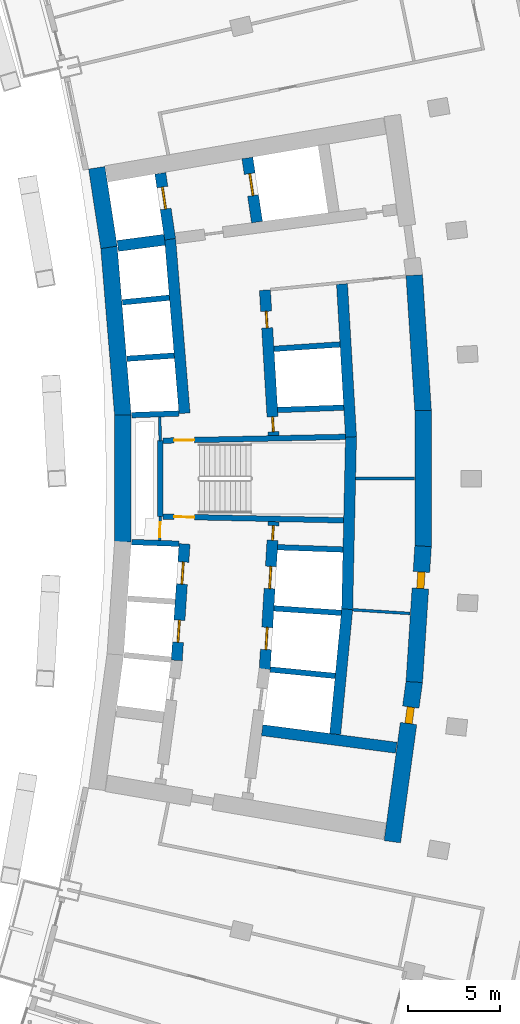
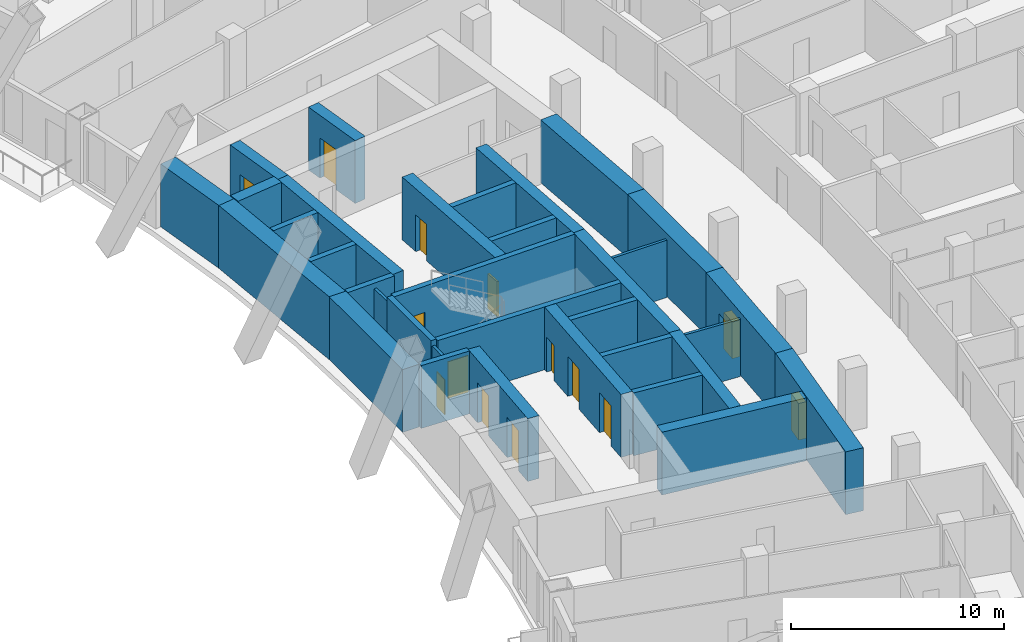
# One storey, part 16 of 25: 34 walls, 14 doors, 14 openings.
"""IFC4 building model written with IfcOpenShell, lengths in metres."""

from ifc_helpers import new_model, si_unit, direction, frame, frame_2d, origin, place, context, subcontext, project, spatial, rectangle, extrude, material, layer, layer_set, type_object, element, fill, save


model = new_model("IFC4")

# Units and contexts
model_context = context("Model", 3, precision=1e-05, world=origin(), true_north=direction((0.0, 1.0)))
body_context = subcontext(model_context, "Body", "Model", "MODEL_VIEW")
ifc_project = project(units=[si_unit("LENGTHUNIT", "METRE"), si_unit("AREAUNIT", "SQUARE_METRE"), si_unit("VOLUMEUNIT", "CUBIC_METRE"), si_unit("PLANEANGLEUNIT", "RADIAN"), si_unit("MASSUNIT", "GRAM", prefix="KILO")], contexts=[model_context])

# Site, building, storey
site_placement = place(None, origin())
site = spatial("IfcSite", under=ifc_project, at=site_placement, CompositionType="ELEMENT")
building_placement = place(site_placement, origin())
building = spatial("IfcBuilding", under=site, at=building_placement, Name="Alderwake Tower", CompositionType="ELEMENT")
storey_placement = place(building_placement, frame((0.0, 0.0, 64.39990234375)))
storey = spatial("IfcBuildingStorey", under=building, at=storey_placement, Name="L15", CompositionType="ELEMENT", Elevation=64.39990234375)

# Wall, opening, door
ifc_material_1 = material(Name="Gypsum shaft wall system, rated")
ifc_layer_1 = layer(ifc_material_1, 0.14990234375)
ifc_layer_set_1 = layer_set([ifc_layer_1], Name="Core room partition 150")
wall_type_1 = type_object("IfcWallType", Name="Core room partition 150", PredefinedType="PARTITIONING", material=ifc_layer_set_1)
wall_1_placement = place(storey_placement, frame((18.918701171875, 58.94384765625, 0.0), z_axis=(0.0, 0.0, 1.0), x_axis=(-0.027348257573, -0.999625966453, 0.0)))
wall_1 = element("IfcWall", 1, at=wall_1_placement, inside=storey, type_object=wall_type_1, Name="CW/L15/PA+24_-37", PredefinedType="PARTITIONING", context=body_context, shape_type="SweptSolid", body=[
    extrude(rectangle(XDim=1.29443359375, YDim=0.14990234375, at=frame_2d((0.647216796875, 0.0))), origin(), (0.0, 0.0, 1.0), 3.280029296875),
])
opening_1_placement = place(wall_1_placement, frame((0.322998046875, 0.0, 0.0)))
opening_1 = element("IfcOpeningElement", 2, at=opening_1_placement, cuts=wall_1, Name="Opening C004", PredefinedType="OPENING", context=body_context, shape_type="SweptSolid", body=[
    extrude(rectangle(XDim=0.800048828125, YDim=2.0, at=frame_2d((0.39990234375, 1.0))), frame((0.0, 0.0849609375, 0.0), z_axis=(0.0, -1.0, 0.0), x_axis=(1.0, 0.0, 0.0)), (0.0, 0.0, 1.0), 0.169921875),
])
ifc_material_2 = material(Name="Painted steel leaf, rated", Category="steel")
door_type_1 = type_object("IfcDoorType", Name="Riser access door 800", OperationType="SINGLE_SWING_LEFT", PredefinedType="DOOR", material=ifc_material_2)
door_1_placement = place(opening_1_placement, origin())
door_1 = element("IfcDoor", 3, at=door_1_placement, inside=storey, type_object=door_type_1, Name="Riser access door", OperationType="SINGLE_SWING_RIGHT", OverallHeight=2.0, OverallWidth=0.800048828125, PredefinedType="DOOR", context=body_context, shape_type="SweptSolid", body=[
    extrude(rectangle(XDim=0.800048828125, YDim=2.0, at=frame_2d((0.39990234375, 1.0))), frame((0.0, 0.02490234375, 0.0), z_axis=(0.0, -1.0, 0.0), x_axis=(1.0, 0.0, 0.0)), (0.0, 0.0, 1.0), 0.050048828125),
])
fill(opening_1, door_1)

# Walls
wall_2_placement = place(storey_placement, frame((18.918701171875, 63.05517578125, 0.0), z_axis=(0.0, 0.0, 1.0), x_axis=(-0.027327648352, 0.999626530078, 0.0)))
element("IfcWall", 4, at=wall_2_placement, inside=storey, type_object=wall_type_1, Name="CW/L15/PA+24_+22", PredefinedType="PARTITIONING", context=body_context, shape_type="SweptSolid", body=[
    extrude(rectangle(XDim=1.29541015625, YDim=0.14990234375, at=frame_2d((0.647705078125, 0.0))), origin(), (0.0, 0.0, 1.0), 3.280029296875),
])
wall_3_placement = place(storey_placement, frame((29.368408203125, 53.8779296875, 0.0), z_axis=(0.0, 0.0, 1.0), x_axis=(0.997885422127, -0.064997571548, 0.0)))
element("IfcWall", 5, at=wall_3_placement, inside=storey, type_object=wall_type_1, Name="CW/L15/PR-68_+128", PredefinedType="PARTITIONING", context=body_context, shape_type="SweptSolid", body=[
    extrude(rectangle(XDim=3.110107421875, YDim=0.14990234375, at=frame_2d((1.55517578125, 0.0))), origin(), (0.0, 0.0, 1.0), 3.280029296875),
])
wall_4_placement = place(storey_placement, frame((29.526123046875, 61.0, 0.0), z_axis=(0.0, 0.0, 1.0), x_axis=(1.0, 0.0, 0.0)))
element("IfcWall", 6, at=wall_4_placement, inside=storey, type_object=wall_type_1, Name="CW/L15/PR+0_+128", PredefinedType="PARTITIONING", context=body_context, shape_type="SweptSolid", body=[
    extrude(rectangle(XDim=3.18408203125, YDim=0.14990234375, at=frame_2d((1.592041015625, 0.0))), origin(), (0.0, 0.0, 1.0), 3.280029296875),
])
ifc_material_3 = material(Name="Concrete C70/85", Category="concrete")
ifc_layer_2 = layer(ifc_material_3, 0.89990234375)
ifc_layer_set_2 = layer_set([ifc_layer_2], Name="Core wall outer 900 C70-85")
wall_type_2 = type_object("IfcWallType", Name="Core wall outer 900 C70-85", PredefinedType="SHEAR", material=ifc_layer_set_2)
wall_5_placement = place(storey_placement, frame((16.889404296875, 57.5546875, 0.0), z_axis=(0.0, 0.0, 1.0), x_axis=(0.0, 1.0, 0.0)))
element("IfcWall", 7, at=wall_5_placement, inside=storey, type_object=wall_type_2, Name="Core wall CW.043", PredefinedType="SHEAR", context=body_context, shape_type="SweptSolid", body=[
    extrude(rectangle(XDim=6.89404296875, YDim=0.89990234375, at=frame_2d((3.447021484375, 0.0))), origin(), (0.0, 0.0, 1.0), 3.60009765625),
])
wall_6_placement = place(storey_placement, frame((16.890869140625, 64.41064453125, 0.0), z_axis=(0.0, 0.0, 1.0), x_axis=(-0.082624275373, 0.996580768989, 0.0)))
element("IfcWall", 8, at=wall_6_placement, inside=storey, type_object=wall_type_2, Name="Core wall CW.040", PredefinedType="SHEAR", context=body_context, shape_type="SweptSolid", body=[
    extrude(rectangle(XDim=9.210205078125, YDim=0.89990234375, at=frame_2d((4.60498046875, 0.0))), origin(), (0.0, 0.0, 1.0), 3.60009765625),
])
wall_7_placement = place(storey_placement, frame((16.1337890625, 73.557373046875, 0.0), z_axis=(0.0, 0.0, 1.0), x_axis=(-0.151956504286, 0.988387181627, 0.0)))
element("IfcWall", 9, at=wall_7_placement, inside=storey, type_object=wall_type_2, Name="Core wall CW.039", PredefinedType="SHEAR", context=body_context, shape_type="SweptSolid", body=[
    extrude(rectangle(XDim=4.373291015625, YDim=0.89990234375, at=frame_2d((2.1865234375, 0.0))), origin(), (0.0, 0.0, 1.0), 3.60009765625),
])

# Wall, opening, door
wall_8_placement = place(storey_placement, frame((32.7138671875, 49.9873046875, 0.0), z_axis=(0.0, 0.0, 1.0), x_axis=(-0.135844728876, -0.990730139663, 0.0)))
wall_8 = element("IfcWall", 10, at=wall_8_placement, inside=storey, type_object=wall_type_2, Name="Core wall CW.012", PredefinedType="SHEAR", context=body_context, shape_type="SweptSolid", body=[
    extrude(rectangle(XDim=8.78662109375, YDim=0.89990234375, at=frame_2d((4.393310546875, 0.0))), origin(), (0.0, 0.0, 1.0), 3.60009765625),
])
opening_2_placement = place(wall_8_placement, frame((1.40673828125, 0.0, 0.0)))
opening_2 = element("IfcOpeningElement", 11, at=opening_2_placement, cuts=wall_8, Name="Opening C049", PredefinedType="OPENING", context=body_context, shape_type="SweptSolid", body=[
    extrude(rectangle(XDim=0.89990234375, YDim=2.10009765625, at=frame_2d((0.449951171875, 1.050048828125))), frame((0.0, 0.4599609375, 0.0), z_axis=(0.0, -1.0, 0.0), x_axis=(1.0, 0.0, 0.0)), (0.0, 0.0, 1.0), 0.919921875),
])
ifc_material_4 = material(Name="Painted steel leaf", Category="steel")
door_type_2 = type_object("IfcDoorType", Name="Core room door 900", OperationType="SINGLE_SWING_LEFT", PredefinedType="DOOR", material=ifc_material_4)
door_2_placement = place(opening_2_placement, origin())
door_2 = element("IfcDoor", 12, at=door_2_placement, inside=storey, type_object=door_type_2, Name="Room door", OperationType="SINGLE_SWING_LEFT", OverallHeight=2.10009765625, OverallWidth=0.89990234375, PredefinedType="DOOR", context=body_context, shape_type="SweptSolid", body=[
    extrude(rectangle(XDim=0.89990234375, YDim=2.10009765625, at=frame_2d((0.449951171875, 1.050048828125))), frame((0.0, 0.199951171875, 0.0), z_axis=(0.0, -1.0, 0.0), x_axis=(1.0, 0.0, 0.0)), (0.0, 0.0, 1.0), 0.39990234375),
])
fill(opening_2, door_2)

wall_9_placement = place(storey_placement, frame((33.191162109375, 57.33349609375, 0.0), z_axis=(0.0, 0.0, 1.0), x_axis=(-0.064976219143, -0.997886812693, 0.0)))
wall_9 = element("IfcWall", 13, at=wall_9_placement, inside=storey, type_object=wall_type_2, Name="Core wall CW.011", PredefinedType="SHEAR", context=body_context, shape_type="SweptSolid", body=[
    extrude(rectangle(XDim=7.39453125, YDim=0.89990234375, at=frame_2d((3.697265625, 0.0))), origin(), (0.0, 0.0, 1.0), 3.60009765625),
])
opening_3_placement = place(wall_9_placement, frame((1.405517578125, 0.0, 0.0)))
opening_3 = element("IfcOpeningElement", 14, at=opening_3_placement, cuts=wall_9, Name="Opening C028", PredefinedType="OPENING", context=body_context, shape_type="SweptSolid", body=[
    extrude(rectangle(XDim=0.89990234375, YDim=2.10009765625, at=frame_2d((0.449951171875, 1.050048828125))), frame((0.0, 0.4599609375, 0.0), z_axis=(0.0, -1.0, 0.0), x_axis=(1.0, 0.0, 0.0)), (0.0, 0.0, 1.0), 0.919921875),
])
door_3_placement = place(opening_3_placement, origin())
door_3 = element("IfcDoor", 15, at=door_3_placement, inside=storey, type_object=door_type_2, Name="Room door", OperationType="SINGLE_SWING_LEFT", OverallHeight=2.10009765625, OverallWidth=0.89990234375, PredefinedType="DOOR", context=body_context, shape_type="SweptSolid", body=[
    extrude(rectangle(XDim=0.89990234375, YDim=2.10009765625, at=frame_2d((0.449951171875, 1.050048828125))), frame((0.0, 0.199951171875, 0.0), z_axis=(0.0, -1.0, 0.0), x_axis=(1.0, 0.0, 0.0)), (0.0, 0.0, 1.0), 0.39990234375),
])
fill(opening_3, door_3)

# Walls
wall_10_placement = place(storey_placement, frame((33.190185546875, 57.30322265625, 0.0), z_axis=(0.0, 0.0, 1.0), x_axis=(0.0, 1.0, 0.0)))
element("IfcWall", 16, at=wall_10_placement, inside=storey, type_object=wall_type_2, Name="Core wall CW.013", PredefinedType="SHEAR", context=body_context, shape_type="SweptSolid", body=[
    extrude(rectangle(XDim=7.3935546875, YDim=0.89990234375, at=frame_2d((3.69677734375, 0.0))), origin(), (0.0, 0.0, 1.0), 3.60009765625),
])
wall_11_placement = place(storey_placement, frame((33.191162109375, 64.66650390625, 0.0), z_axis=(0.0, 0.0, 1.0), x_axis=(-0.064976219143, 0.997886812693, 0.0)))
element("IfcWall", 17, at=wall_11_placement, inside=storey, type_object=wall_type_2, Name="Core wall CW.010", PredefinedType="SHEAR", context=body_context, shape_type="SweptSolid", body=[
    extrude(rectangle(XDim=7.39453125, YDim=0.89990234375, at=frame_2d((3.697265625, 0.0))), origin(), (0.0, 0.0, 1.0), 3.60009765625),
])
ifc_material_5 = material(Name="Concrete C70/85", Category="concrete")
ifc_layer_3 = layer(ifc_material_5, 0.300048828125)
ifc_layer_set_3 = layer_set([ifc_layer_3], Name="Core wall shaft 300 C70-85")
wall_type_3 = type_object("IfcWallType", Name="Core wall shaft 300 C70-85", PredefinedType="SHEAR", material=ifc_layer_set_3)
wall_12_placement = place(storey_placement, frame((24.889404296875, 50.635009765625, 0.0), z_axis=(0.0, 0.0, 1.0), x_axis=(0.995157756799, -0.098290584916, 0.0)))
element("IfcWall", 18, at=wall_12_placement, inside=storey, type_object=wall_type_3, Name="Core wall CW.066", PredefinedType="SHEAR", context=body_context, shape_type="SweptSolid", body=[
    extrude(rectangle(XDim=3.546875, YDim=0.300048828125, at=frame_2d((1.7734375, 0.0))), origin(), (0.0, 0.0, 1.0), 3.60009765625),
])
wall_13_placement = place(storey_placement, frame((25.090087890625, 53.954833984375, 0.0), z_axis=(0.0, 0.0, 1.0), x_axis=(0.997759755038, -0.066898962827, 0.0)))
element("IfcWall", 19, at=wall_13_placement, inside=storey, type_object=wall_type_3, Name="Core wall CW.080", PredefinedType="SHEAR", context=body_context, shape_type="SweptSolid", body=[
    extrude(rectangle(XDim=3.667724609375, YDim=0.300048828125, at=frame_2d((1.833984375, 0.0))), origin(), (0.0, 0.0, 1.0), 3.60009765625),
])
wall_14_placement = place(storey_placement, frame((17.369140625, 57.553466796875, 0.0), z_axis=(0.0, 0.0, 1.0), x_axis=(0.99937189907, -0.035437372217, 0.0)))
element("IfcWall", 20, at=wall_14_placement, inside=storey, type_object=wall_type_3, Name="Core wall CW.076", PredefinedType="SHEAR", context=body_context, shape_type="SweptSolid", body=[
    extrude(rectangle(XDim=2.56982421875, YDim=0.300048828125, at=frame_2d((1.284912109375, 0.0))), origin(), (0.0, 0.0, 1.0), 3.60009765625),
])
wall_15_placement = place(storey_placement, frame((25.29052734375, 57.27294921875, 0.0), z_axis=(0.0, 0.0, 1.0), x_axis=(0.999373490158, -0.035392473348, 0.0)))
element("IfcWall", 21, at=wall_15_placement, inside=storey, type_object=wall_type_3, Name="Core wall CW.077", PredefinedType="SHEAR", context=body_context, shape_type="SweptSolid", body=[
    extrude(rectangle(XDim=3.552490234375, YDim=0.300048828125, at=frame_2d((1.7763671875, 0.0))), origin(), (0.0, 0.0, 1.0), 3.60009765625),
])
wall_16_placement = place(storey_placement, frame((17.369384765625, 64.446533203125, 0.0), z_axis=(0.0, 0.0, 1.0), x_axis=(0.999371660382, 0.035444102817, 0.0)))
element("IfcWall", 22, at=wall_16_placement, inside=storey, type_object=wall_type_3, Name="Core wall CW.059", PredefinedType="SHEAR", context=body_context, shape_type="SweptSolid", body=[
    extrude(rectangle(XDim=2.5693359375, YDim=0.300048828125, at=frame_2d((1.28466796875, 0.0))), origin(), (0.0, 0.0, 1.0), 3.60009765625),
])
wall_17_placement = place(storey_placement, frame((25.291259765625, 64.72705078125, 0.0), z_axis=(0.0, 0.0, 1.0), x_axis=(0.999373454301, 0.035393485806, 0.0)))
element("IfcWall", 23, at=wall_17_placement, inside=storey, type_object=wall_type_3, Name="Core wall CW.060", PredefinedType="SHEAR", context=body_context, shape_type="SweptSolid", body=[
    extrude(rectangle(XDim=3.59375, YDim=0.300048828125, at=frame_2d((1.796875, 0.0))), origin(), (0.0, 0.0, 1.0), 3.60009765625),
])
wall_18_placement = place(storey_placement, frame((17.115478515625, 67.510498046875, 0.0), z_axis=(0.0, 0.0, 1.0), x_axis=(0.99775517309, 0.06696726493, 0.0)))
element("IfcWall", 24, at=wall_18_placement, inside=storey, type_object=wall_type_3, Name="Core wall CW.062", PredefinedType="SHEAR", context=body_context, shape_type="SweptSolid", body=[
    extrude(rectangle(XDim=2.566650390625, YDim=0.300048828125, at=frame_2d((1.283203125, 0.0))), origin(), (0.0, 0.0, 1.0), 3.60009765625),
])
wall_19_placement = place(storey_placement, frame((25.09228515625, 68.04541015625, 0.0), z_axis=(0.0, 0.0, 1.0), x_axis=(0.997761968855, 0.066865936816, 0.0)))
element("IfcWall", 25, at=wall_19_placement, inside=storey, type_object=wall_type_3, Name="Core wall CW.063", PredefinedType="SHEAR", context=body_context, shape_type="SweptSolid", body=[
    extrude(rectangle(XDim=3.596435546875, YDim=0.300048828125, at=frame_2d((1.79833984375, 0.0))), origin(), (0.0, 0.0, 1.0), 3.60009765625),
])
wall_20_placement = place(storey_placement, frame((16.86181640625, 70.571533203125, 0.0), z_axis=(0.0, 0.0, 1.0), x_axis=(0.995151424955, 0.098354671516, 0.0)))
element("IfcWall", 26, at=wall_20_placement, inside=storey, type_object=wall_type_3, Name="Core wall CW.050", PredefinedType="SHEAR", context=body_context, shape_type="SweptSolid", body=[
    extrude(rectangle(XDim=2.566650390625, YDim=0.300048828125, at=frame_2d((1.283203125, 0.0))), origin(), (0.0, 0.0, 1.0), 3.60009765625),
])

# Wall, openings, doors
ifc_material_6 = material(Name="Concrete C70/85", Category="concrete")
ifc_layer_4 = layer(ifc_material_6, 0.60009765625)
ifc_layer_set_4 = layer_set([ifc_layer_4], Name="Core wall spine 600 C70-85")
wall_type_4 = type_object("IfcWallType", Name="Core wall spine 600 C70-85", PredefinedType="SHEAR", material=ifc_layer_set_4)
wall_21_placement = place(storey_placement, frame((19.813232421875, 51.12646484375, 0.0), z_axis=(0.0, 0.0, 1.0), x_axis=(0.066892179723, 0.997760209816, 0.0)))
wall_21 = element("IfcWall", 27, at=wall_21_placement, inside=storey, type_object=wall_type_4, Name="Core wall CW.032", PredefinedType="SHEAR", context=body_context, shape_type="SweptSolid", body=[
    extrude(rectangle(XDim=6.339599609375, YDim=0.60009765625, at=frame_2d((3.169921875, 0.0))), origin(), (0.0, 0.0, 1.0), 3.60009765625),
])
opening_4_placement = place(wall_21_placement, frame((0.992431640625, 0.0, 0.0)))
opening_4 = element("IfcOpeningElement", 28, at=opening_4_placement, cuts=wall_21, Name="Opening LD-LP2", PredefinedType="OPENING", context=body_context, shape_type="SweptSolid", body=[
    extrude(rectangle(XDim=1.199951171875, YDim=2.300048828125, at=frame_2d((0.60009765625, 1.14990234375))), frame((0.0, 0.31005859375, 0.0), z_axis=(0.0, -1.0, 0.0), x_axis=(1.0, 0.0, 0.0)), (0.0, 0.0, 1.0), 0.6201171875),
])
opening_5_placement = place(wall_21_placement, frame((4.157470703125, 0.0, 0.0)))
opening_5 = element("IfcOpeningElement", 29, at=opening_5_placement, cuts=wall_21, Name="Opening LD-LP3", PredefinedType="OPENING", context=body_context, shape_type="SweptSolid", body=[
    extrude(rectangle(XDim=1.199951171875, YDim=2.300048828125, at=frame_2d((0.60009765625, 1.14990234375))), frame((0.0, 0.31005859375, 0.0), z_axis=(0.0, -1.0, 0.0), x_axis=(1.0, 0.0, 0.0)), (0.0, 0.0, 1.0), 0.6201171875),
])
ifc_material_7 = material(Name="Stainless steel sliding leaf", Category="steel")
door_type_3 = type_object("IfcDoorType", Name="Lift landing door 1200", OperationType="SLIDING_TO_LEFT", PredefinedType="DOOR", material=ifc_material_7)
door_4_placement = place(opening_4_placement, origin())
door_4 = element("IfcDoor", 30, at=door_4_placement, inside=storey, type_object=door_type_3, Name="Lift landing door LP2", OperationType="SLIDING_TO_LEFT", OverallHeight=2.300048828125, OverallWidth=1.199951171875, PredefinedType="DOOR", context=body_context, shape_type="SweptSolid", body=[
    extrude(rectangle(XDim=1.199951171875, YDim=2.300048828125, at=frame_2d((0.60009765625, 1.14990234375))), frame((0.0, 0.050048828125, 0.0), z_axis=(0.0, -1.0, 0.0), x_axis=(1.0, 0.0, 0.0)), (0.0, 0.0, 1.0), 0.10009765625),
])
fill(opening_4, door_4)
door_5_placement = place(opening_5_placement, origin())
door_5 = element("IfcDoor", 31, at=door_5_placement, inside=storey, type_object=door_type_3, Name="Lift landing door LP3", OperationType="SLIDING_TO_LEFT", OverallHeight=2.300048828125, OverallWidth=1.199951171875, PredefinedType="DOOR", context=body_context, shape_type="SweptSolid", body=[
    extrude(rectangle(XDim=1.199951171875, YDim=2.300048828125, at=frame_2d((0.60009765625, 1.14990234375))), frame((0.0, 0.050048828125, 0.0), z_axis=(0.0, -1.0, 0.0), x_axis=(1.0, 0.0, 0.0)), (0.0, 0.0, 1.0), 0.10009765625),
])
fill(opening_5, door_5)

# Wall
wall_22_placement = place(storey_placement, frame((20.2373046875, 64.548095703125, 0.0), z_axis=(0.0, 0.0, 1.0), x_axis=(-0.082626598613, 0.996580576372, 0.0)))
element("IfcWall", 32, at=wall_22_placement, inside=storey, type_object=wall_type_4, Name="Core wall CW.031", PredefinedType="SHEAR", context=body_context, shape_type="SweptSolid", body=[
    extrude(rectangle(XDim=9.50244140625, YDim=0.60009765625, at=frame_2d((4.751220703125, 0.0))), origin(), (0.0, 0.0, 1.0), 3.60009765625),
])

# Wall, opening, door
wall_23_placement = place(storey_placement, frame((19.45458984375, 73.99755859375, 0.0), z_axis=(0.0, 0.0, 1.0), x_axis=(-0.147502312715, 0.989061710786, 0.0)))
wall_23 = element("IfcWall", 33, at=wall_23_placement, inside=storey, type_object=wall_type_4, Name="Core wall CW.030", PredefinedType="SHEAR", context=body_context, shape_type="SweptSolid", body=[
    extrude(rectangle(XDim=3.6181640625, YDim=0.60009765625, at=frame_2d((1.80908203125, 0.0))), origin(), (0.0, 0.0, 1.0), 3.60009765625),
])
opening_6_placement = place(wall_23_placement, frame((1.664306640625, 0.0, 0.0)))
opening_6 = element("IfcOpeningElement", 34, at=opening_6_placement, cuts=wall_23, Name="Opening LD-FF1", PredefinedType="OPENING", context=body_context, shape_type="SweptSolid", body=[
    extrude(rectangle(XDim=1.199951171875, YDim=2.300048828125, at=frame_2d((0.60009765625, 1.14990234375))), frame((0.0, 0.31005859375, 0.0), z_axis=(0.0, -1.0, 0.0), x_axis=(1.0, 0.0, 0.0)), (0.0, 0.0, 1.0), 0.6201171875),
])
door_6_placement = place(opening_6_placement, origin())
door_6 = element("IfcDoor", 35, at=door_6_placement, inside=storey, type_object=door_type_3, Name="Lift landing door FF1", OperationType="SLIDING_TO_LEFT", OverallHeight=2.300048828125, OverallWidth=1.199951171875, PredefinedType="DOOR", context=body_context, shape_type="SweptSolid", body=[
    extrude(rectangle(XDim=1.199951171875, YDim=2.300048828125, at=frame_2d((0.60009765625, 1.14990234375))), frame((0.0, 0.050048828125, 0.0), z_axis=(0.0, -1.0, 0.0), x_axis=(1.0, 0.0, 0.0)), (0.0, 0.0, 1.0), 0.10009765625),
])
fill(opening_6, door_6)

# Wall, openings, doors
wall_24_placement = place(storey_placement, frame((24.58984375, 50.6533203125, 0.0), z_axis=(0.0, 0.0, 1.0), x_axis=(0.060323309079, 0.998178890972, 0.0)))
wall_24 = element("IfcWall", 36, at=wall_24_placement, inside=storey, type_object=wall_type_4, Name="Core wall CW.046", PredefinedType="SHEAR", context=body_context, shape_type="SweptSolid", body=[
    extrude(rectangle(XDim=8.025634765625, YDim=0.60009765625, at=frame_2d((4.0126953125, 0.0))), origin(), (0.0, 0.0, 1.0), 3.60009765625),
])
opening_7_placement = place(wall_24_placement, frame((1.06884765625, 0.0, 0.0)))
opening_7 = element("IfcOpeningElement", 37, at=opening_7_placement, cuts=wall_24, Name="Opening LD-LP5", PredefinedType="OPENING", context=body_context, shape_type="SweptSolid", body=[
    extrude(rectangle(XDim=1.199951171875, YDim=2.300048828125, at=frame_2d((0.60009765625, 1.14990234375))), frame((0.0, 0.31005859375, 0.0), z_axis=(0.0, -1.0, 0.0), x_axis=(1.0, 0.0, 0.0)), (0.0, 0.0, 1.0), 0.6201171875),
])
opening_8_placement = place(wall_24_placement, frame((4.38525390625, 0.0, 0.0)))
opening_8 = element("IfcOpeningElement", 38, at=opening_8_placement, cuts=wall_24, Name="Opening LD-LP6", PredefinedType="OPENING", context=body_context, shape_type="SweptSolid", body=[
    extrude(rectangle(XDim=1.199951171875, YDim=2.300048828125, at=frame_2d((0.60009765625, 1.14990234375))), frame((0.0, 0.31005859375, 0.0), z_axis=(0.0, -1.0, 0.0), x_axis=(1.0, 0.0, 0.0)), (0.0, 0.0, 1.0), 0.6201171875),
])
opening_9_placement = place(wall_24_placement, frame((7.009521484375, 0.0, 0.0)))
opening_9 = element("IfcOpeningElement", 39, at=opening_9_placement, cuts=wall_24, Name="Opening C006", PredefinedType="OPENING", context=body_context, shape_type="SweptSolid", body=[
    extrude(rectangle(XDim=0.800048828125, YDim=2.0, at=frame_2d((0.39990234375, 1.0))), frame((0.0, 0.31005859375, 0.0), z_axis=(0.0, -1.0, 0.0), x_axis=(1.0, 0.0, 0.0)), (0.0, 0.0, 1.0), 0.6201171875),
])
door_7_placement = place(opening_7_placement, origin())
door_7 = element("IfcDoor", 40, at=door_7_placement, inside=storey, type_object=door_type_3, Name="Lift landing door LP5", OperationType="SLIDING_TO_LEFT", OverallHeight=2.300048828125, OverallWidth=1.199951171875, PredefinedType="DOOR", context=body_context, shape_type="SweptSolid", body=[
    extrude(rectangle(XDim=1.199951171875, YDim=2.300048828125, at=frame_2d((0.60009765625, 1.14990234375))), frame((0.0, 0.050048828125, 0.0), z_axis=(0.0, -1.0, 0.0), x_axis=(1.0, 0.0, 0.0)), (0.0, 0.0, 1.0), 0.10009765625),
])
fill(opening_7, door_7)
door_8_placement = place(opening_8_placement, origin())
door_8 = element("IfcDoor", 41, at=door_8_placement, inside=storey, type_object=door_type_3, Name="Lift landing door LP6", OperationType="SLIDING_TO_LEFT", OverallHeight=2.300048828125, OverallWidth=1.199951171875, PredefinedType="DOOR", context=body_context, shape_type="SweptSolid", body=[
    extrude(rectangle(XDim=1.199951171875, YDim=2.300048828125, at=frame_2d((0.60009765625, 1.14990234375))), frame((0.0, 0.050048828125, 0.0), z_axis=(0.0, -1.0, 0.0), x_axis=(1.0, 0.0, 0.0)), (0.0, 0.0, 1.0), 0.10009765625),
])
fill(opening_8, door_8)
door_9_placement = place(opening_9_placement, origin())
door_9 = element("IfcDoor", 42, at=door_9_placement, inside=storey, type_object=door_type_1, Name="Riser access door", OperationType="SINGLE_SWING_RIGHT", OverallHeight=2.0, OverallWidth=0.800048828125, PredefinedType="DOOR", context=body_context, shape_type="SweptSolid", body=[
    extrude(rectangle(XDim=0.800048828125, YDim=2.0, at=frame_2d((0.39990234375, 1.0))), frame((0.0, 0.050048828125, 0.0), z_axis=(0.0, -1.0, 0.0), x_axis=(1.0, 0.0, 0.0)), (0.0, 0.0, 1.0), 0.10009765625),
])
fill(opening_9, door_9)

wall_25_placement = place(storey_placement, frame((25.073974609375, 63.335693359375, 0.0), z_axis=(0.0, 0.0, 1.0), x_axis=(-0.059848641072, 0.998207463487, 0.0)))
wall_25 = element("IfcWall", 43, at=wall_25_placement, inside=storey, type_object=wall_type_4, Name="Core wall CW.045", PredefinedType="SHEAR", context=body_context, shape_type="SweptSolid", body=[
    extrude(rectangle(XDim=7.913818359375, YDim=0.60009765625, at=frame_2d((3.95703125, 0.0))), origin(), (0.0, 0.0, 1.0), 3.60009765625),
])
opening_10_placement = place(wall_25_placement, frame((0.216064453125, 0.0, 0.0)))
opening_10 = element("IfcOpeningElement", 44, at=opening_10_placement, cuts=wall_25, Name="Opening C005", PredefinedType="OPENING", context=body_context, shape_type="SweptSolid", body=[
    extrude(rectangle(XDim=0.800048828125, YDim=2.0, at=frame_2d((0.39990234375, 1.0))), frame((0.0, 0.31005859375, 0.0), z_axis=(0.0, -1.0, 0.0), x_axis=(1.0, 0.0, 0.0)), (0.0, 0.0, 1.0), 0.6201171875),
])
opening_11_placement = place(wall_25_placement, frame((5.856201171875, 0.0, 0.0)))
opening_11 = element("IfcOpeningElement", 45, at=opening_11_placement, cuts=wall_25, Name="Opening C023", PredefinedType="OPENING", context=body_context, shape_type="SweptSolid", body=[
    extrude(rectangle(XDim=0.89990234375, YDim=2.10009765625, at=frame_2d((0.449951171875, 1.050048828125))), frame((0.0, 0.31005859375, 0.0), z_axis=(0.0, -1.0, 0.0), x_axis=(1.0, 0.0, 0.0)), (0.0, 0.0, 1.0), 0.6201171875),
])
door_10_placement = place(opening_11_placement, origin())
door_10 = element("IfcDoor", 46, at=door_10_placement, inside=storey, type_object=door_type_2, Name="Room door", OperationType="SINGLE_SWING_RIGHT", OverallHeight=2.10009765625, OverallWidth=0.89990234375, PredefinedType="DOOR", context=body_context, shape_type="SweptSolid", body=[
    extrude(rectangle(XDim=0.89990234375, YDim=2.10009765625, at=frame_2d((0.449951171875, 1.050048828125))), frame((0.0, 0.050048828125, 0.0), z_axis=(0.0, -1.0, 0.0), x_axis=(1.0, 0.0, 0.0)), (0.0, 0.0, 1.0), 0.10009765625),
])
fill(opening_11, door_10)
door_11_placement = place(opening_10_placement, origin())
door_11 = element("IfcDoor", 47, at=door_11_placement, inside=storey, type_object=door_type_1, Name="Riser access door", OperationType="SINGLE_SWING_LEFT", OverallHeight=2.0, OverallWidth=0.800048828125, PredefinedType="DOOR", context=body_context, shape_type="SweptSolid", body=[
    extrude(rectangle(XDim=0.800048828125, YDim=2.0, at=frame_2d((0.39990234375, 1.0))), frame((0.0, 0.050048828125, 0.0), z_axis=(0.0, -1.0, 0.0), x_axis=(1.0, 0.0, 0.0)), (0.0, 0.0, 1.0), 0.10009765625),
])
fill(opening_10, door_11)

# Wall, opening, door
wall_26_placement = place(storey_placement, frame((24.173095703125, 74.927734375, 0.0), z_axis=(0.0, 0.0, 1.0), x_axis=(-0.14910953086, 0.988820685365, 0.0)))
wall_26 = element("IfcWall", 48, at=wall_26_placement, inside=storey, type_object=wall_type_4, Name="Core wall CW.044", PredefinedType="SHEAR", context=body_context, shape_type="SweptSolid", body=[
    extrude(rectangle(XDim=3.5234375, YDim=0.60009765625, at=frame_2d((1.76171875, 0.0))), origin(), (0.0, 0.0, 1.0), 3.60009765625),
])
opening_12_placement = place(wall_26_placement, frame((1.4619140625, 0.0, 0.0)))
opening_12 = element("IfcOpeningElement", 49, at=opening_12_placement, cuts=wall_26, Name="Opening LD-FF2", PredefinedType="OPENING", context=body_context, shape_type="SweptSolid", body=[
    extrude(rectangle(XDim=1.199951171875, YDim=2.300048828125, at=frame_2d((0.60009765625, 1.14990234375))), frame((0.0, 0.31005859375, 0.0), z_axis=(0.0, -1.0, 0.0), x_axis=(1.0, 0.0, 0.0)), (0.0, 0.0, 1.0), 0.6201171875),
])
door_12_placement = place(opening_12_placement, origin())
door_12 = element("IfcDoor", 50, at=door_12_placement, inside=storey, type_object=door_type_3, Name="Lift landing door FF2", OperationType="SLIDING_TO_LEFT", OverallHeight=2.300048828125, OverallWidth=1.199951171875, PredefinedType="DOOR", context=body_context, shape_type="SweptSolid", body=[
    extrude(rectangle(XDim=1.199951171875, YDim=2.300048828125, at=frame_2d((0.60009765625, 1.14990234375))), frame((0.0, 0.050048828125, 0.0), z_axis=(0.0, -1.0, 0.0), x_axis=(1.0, 0.0, 0.0)), (0.0, 0.0, 1.0), 0.10009765625),
])
fill(opening_12, door_12)

# Walls
wall_27_placement = place(storey_placement, frame((28.415283203125, 47.12255859375, 0.0), z_axis=(0.0, 0.0, 1.0), x_axis=(0.096035810952, 0.995377879508, 0.0)))
element("IfcWall", 51, at=wall_27_placement, inside=storey, type_object=wall_type_4, Name="Core wall CW.005", PredefinedType="SHEAR", context=body_context, shape_type="SweptSolid", body=[
    extrude(rectangle(XDim=6.818115234375, YDim=0.60009765625, at=frame_2d((3.4091796875, 0.0))), origin(), (0.0, 0.0, 1.0), 3.60009765625),
])
wall_28_placement = place(storey_placement, frame((29.068603515625, 53.885986328125, 0.0), z_axis=(0.0, 0.0, 1.0), x_axis=(0.022123304576, 0.999755249746, 0.0)))
element("IfcWall", 52, at=wall_28_placement, inside=storey, type_object=wall_type_4, Name="Core wall CW.008", PredefinedType="SHEAR", context=body_context, shape_type="SweptSolid", body=[
    extrude(rectangle(XDim=9.402099609375, YDim=0.60009765625, at=frame_2d((4.701171875, 0.0))), origin(), (0.0, 0.0, 1.0), 3.60009765625),
])
wall_29_placement = place(storey_placement, frame((29.277099609375, 63.260498046875, 0.0), z_axis=(0.0, 0.0, 1.0), x_axis=(-0.058809712878, 0.99826921102, 0.0)))
element("IfcWall", 53, at=wall_29_placement, inside=storey, type_object=wall_type_4, Name="Core wall CW.002", PredefinedType="SHEAR", context=body_context, shape_type="SweptSolid", body=[
    extrude(rectangle(XDim=8.323486328125, YDim=0.60009765625, at=frame_2d((4.16162109375, 0.0))), origin(), (0.0, 0.0, 1.0), 3.60009765625),
])
wall_30_placement = place(storey_placement, frame((24.4501953125, 47.338623046875, 0.0), z_axis=(0.0, 0.0, 1.0), x_axis=(0.991554769286, -0.129688625198, 0.0)))
element("IfcWall", 54, at=wall_30_placement, inside=storey, type_object=wall_type_4, Name="Core wall CW.069", PredefinedType="SHEAR", context=body_context, shape_type="SweptSolid", body=[
    extrude(rectangle(XDim=7.347412109375, YDim=0.60009765625, at=frame_2d((3.673828125, 0.0))), origin(), (0.0, 0.0, 1.0), 3.60009765625),
])
wall_31_placement = place(storey_placement, frame((16.607666015625, 73.635498046875, 0.0), z_axis=(0.0, 0.0, 1.0), x_axis=(0.991551057449, 0.129717001478, 0.0)))
element("IfcWall", 55, at=wall_31_placement, inside=storey, type_object=wall_type_4, Name="Core wall CW.051", PredefinedType="SHEAR", context=body_context, shape_type="SweptSolid", body=[
    extrude(rectangle(XDim=2.569091796875, YDim=0.60009765625, at=frame_2d((1.28466796875, 0.0))), origin(), (0.0, 0.0, 1.0), 3.60009765625),
])
ifc_material_8 = material(Name="Concrete C70/85", Category="concrete")
ifc_layer_5 = layer(ifc_material_8, 0.300048828125)
ifc_layer_set_5 = layer_set([ifc_layer_5], Name="Core wall stair enclosure 300 C70-85")
wall_type_5 = type_object("IfcWallType", Name="Core wall stair enclosure 300 C70-85", PredefinedType="SHEAR", material=ifc_layer_set_5)
wall_32_placement = place(storey_placement, frame((18.918701171875, 58.94091796875, 0.0), z_axis=(0.0, 0.0, 1.0), x_axis=(0.0, 1.0, 0.0)))
element("IfcWall", 56, at=wall_32_placement, inside=storey, type_object=wall_type_5, Name="Core wall CW.024", PredefinedType="SHEAR", context=body_context, shape_type="SweptSolid", body=[
    extrude(rectangle(XDim=4.119384765625, YDim=0.300048828125, at=frame_2d((2.0595703125, 0.0))), origin(), (0.0, 0.0, 1.0), 3.60009765625),
])

# Wall, opening, door
wall_33_placement = place(storey_placement, frame((28.8759765625, 58.735107421875, 0.0), z_axis=(0.0, 0.0, 1.0), x_axis=(-0.999783520771, 0.020806527678, 0.0)))
wall_33 = element("IfcWall", 57, at=wall_33_placement, inside=storey, type_object=wall_type_5, Name="Core wall CW.074", PredefinedType="SHEAR", context=body_context, shape_type="SweptSolid", body=[
    extrude(rectangle(XDim=9.8095703125, YDim=0.300048828125, at=frame_2d((4.90478515625, 0.0))), origin(), (0.0, 0.0, 1.0), 3.60009765625),
])
opening_13_placement = place(wall_33_placement, frame((8.109375, 0.0, 0.0)))
opening_13 = element("IfcOpeningElement", 58, at=opening_13_placement, cuts=wall_33, Name="Opening C063", PredefinedType="OPENING", context=body_context, shape_type="SweptSolid", body=[
    extrude(rectangle(XDim=1.10009765625, YDim=2.10009765625, at=frame_2d((0.550048828125, 1.050048828125))), frame((0.0, 0.159912109375, 0.0), z_axis=(0.0, -1.0, 0.0), x_axis=(1.0, 0.0, 0.0)), (0.0, 0.0, 1.0), 0.320068359375),
])
ifc_material_9 = material(Name="Steel-framed fire door leaf", Category="steel")
door_type_4 = type_object("IfcDoorType", Name="Core stair door 1100 fire-rated", OperationType="SINGLE_SWING_LEFT", PredefinedType="DOOR", material=ifc_material_9)
door_13_placement = place(opening_13_placement, origin())
door_13 = element("IfcDoor", 59, at=door_13_placement, inside=storey, type_object=door_type_4, Name="Stair door", OperationType="SINGLE_SWING_LEFT", OverallHeight=2.10009765625, OverallWidth=1.10009765625, PredefinedType="DOOR", context=body_context, shape_type="SweptSolid", body=[
    extrude(rectangle(XDim=1.10009765625, YDim=2.10009765625, at=frame_2d((0.550048828125, 1.050048828125))), frame((0.0, 0.02490234375, 0.0), z_axis=(0.0, -1.0, 0.0), x_axis=(1.0, 0.0, 0.0)), (0.0, 0.0, 1.0), 0.050048828125),
])
fill(opening_13, door_13)

wall_34_placement = place(storey_placement, frame((19.068603515625, 63.060791015625, 0.0), z_axis=(0.0, 0.0, 1.0), x_axis=(0.999783793601, 0.020793413711, 0.0)))
wall_34 = element("IfcWall", 60, at=wall_34_placement, inside=storey, type_object=wall_type_5, Name="Core wall CW.057", PredefinedType="SHEAR", context=body_context, shape_type="SweptSolid", body=[
    extrude(rectangle(XDim=9.90966796875, YDim=0.300048828125, at=frame_2d((4.954833984375, 0.0))), origin(), (0.0, 0.0, 1.0), 3.60009765625),
])
opening_14_placement = place(wall_34_placement, frame((0.60009765625, 0.0, 0.0)))
opening_14 = element("IfcOpeningElement", 61, at=opening_14_placement, cuts=wall_34, Name="Opening C064", PredefinedType="OPENING", context=body_context, shape_type="SweptSolid", body=[
    extrude(rectangle(XDim=1.10009765625, YDim=2.10009765625, at=frame_2d((0.550048828125, 1.050048828125))), frame((0.0, 0.159912109375, 0.0), z_axis=(0.0, -1.0, 0.0), x_axis=(1.0, 0.0, 0.0)), (0.0, 0.0, 1.0), 0.320068359375),
])
door_14_placement = place(opening_14_placement, origin())
door_14 = element("IfcDoor", 62, at=door_14_placement, inside=storey, type_object=door_type_4, Name="Stair door", OperationType="SINGLE_SWING_RIGHT", OverallHeight=2.10009765625, OverallWidth=1.10009765625, PredefinedType="DOOR", context=body_context, shape_type="SweptSolid", body=[
    extrude(rectangle(XDim=1.10009765625, YDim=2.10009765625, at=frame_2d((0.550048828125, 1.050048828125))), frame((0.0, 0.02490234375, 0.0), z_axis=(0.0, -1.0, 0.0), x_axis=(1.0, 0.0, 0.0)), (0.0, 0.0, 1.0), 0.050048828125),
])
fill(opening_14, door_14)

save(model, "model.ifc")
